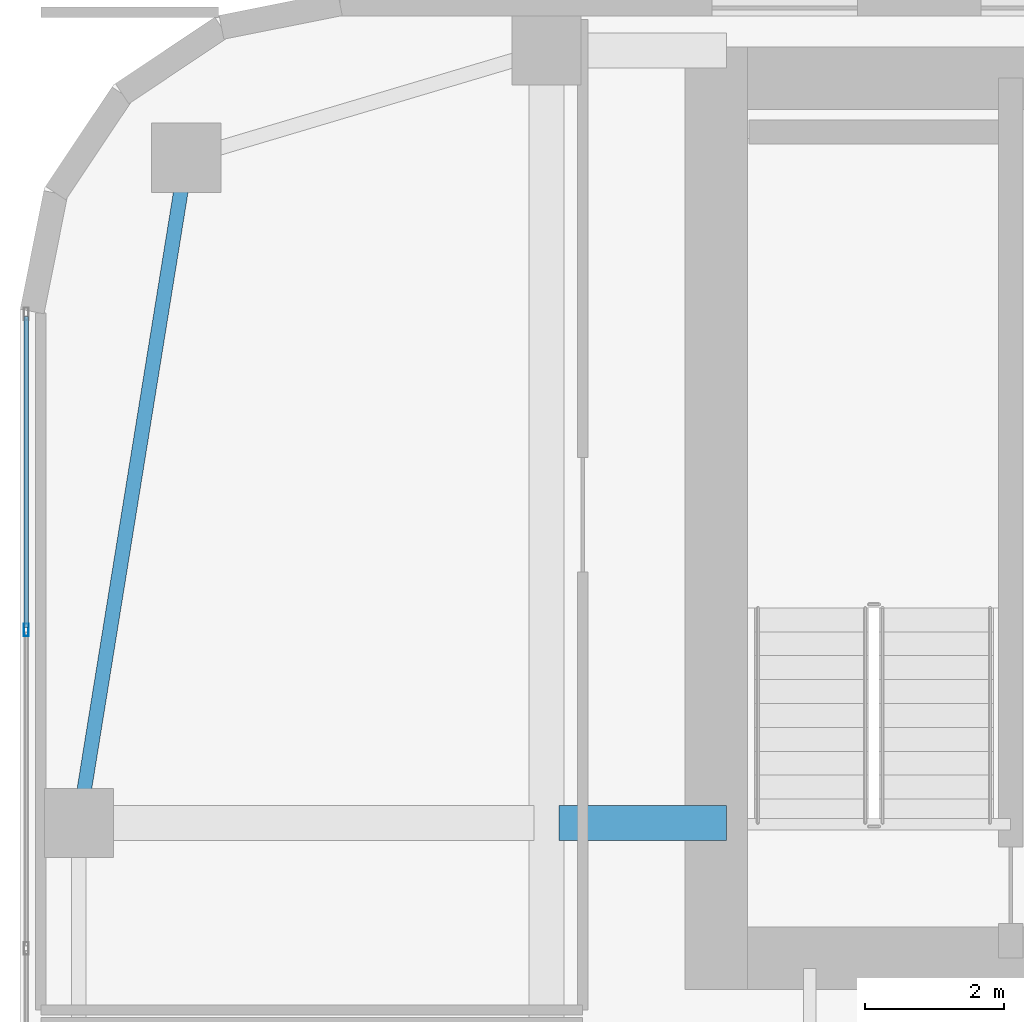
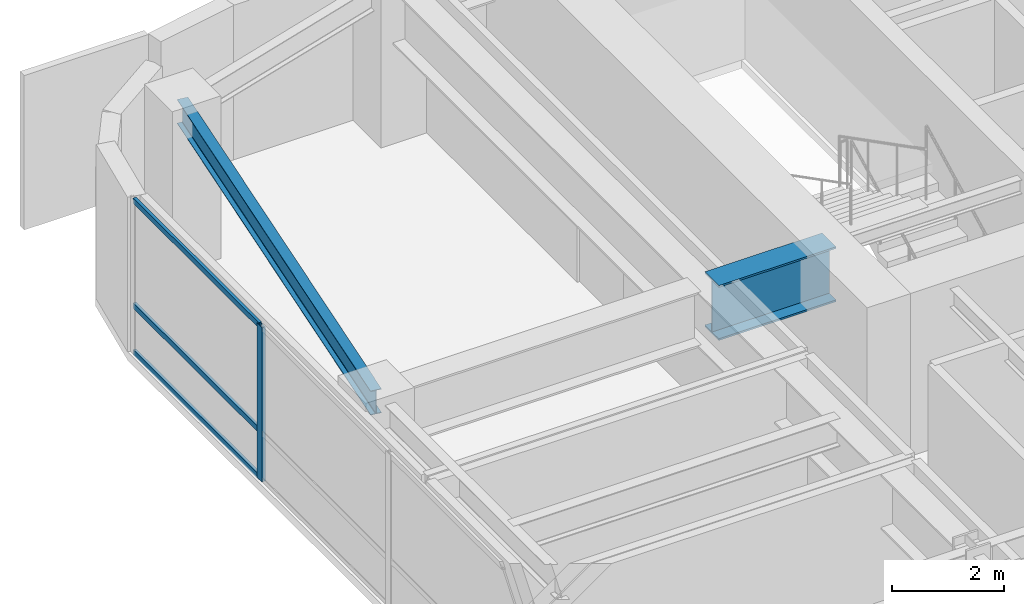
# One storey, part 22 of 37: 4 members, 2 beams, 1 element without a shape of its own.
"""IFC4 building model written with IfcOpenShell, lengths in metres."""

from ifc_helpers import new_model, si_unit, direction, frame, origin, origin_2d, place, context, subcontext, project, spatial, hollow_rectangle, i_section, extrude, source, transform, mapped, material, layer, layer_set, material_profile, profile_set, type_object, type_shapes, element, aggregate, save


model = new_model("IFC4")

# Units and contexts
model_context = context("Model", 3, precision=1e-05, world=origin(), true_north=direction((0.0, 1.0)))
body_context = subcontext(model_context, "Body", "Model", "MODEL_VIEW")
ifc_project = project(units=[si_unit("LENGTHUNIT", "METRE"), si_unit("AREAUNIT", "SQUARE_METRE"), si_unit("VOLUMEUNIT", "CUBIC_METRE"), si_unit("PLANEANGLEUNIT", "RADIAN"), si_unit("MASSUNIT", "GRAM", prefix="KILO")], contexts=[model_context])

# Site, building, storey
site_placement = place(None, origin())
site = spatial("IfcSite", under=ifc_project, at=site_placement, CompositionType="ELEMENT")
building_placement = place(site_placement, origin())
building = spatial("IfcBuilding", under=site, at=building_placement, Name="Tolvann Quenvar Hotel", CompositionType="ELEMENT")
storey_placement = place(building_placement, frame((0.0, 0.0, 53.300048828125)))
storey = spatial("IfcBuildingStorey", under=building, at=storey_placement, Name="L12", CompositionType="ELEMENT", Elevation=53.300048828125)

# Beams
ifc_material_1 = material(Name="Steel Grade 350", Category="steel")
ifc_material_profile_1 = material_profile(ifc_material_1, i_section(OverallWidth=0.208984375, OverallDepth=0.528076171875, WebThickness=0.009521484375, FlangeThickness=0.01318359375, FilletRadius=0.013916015625, at=origin_2d()), Name="530UB82")
ifc_profile_set_1 = profile_set([ifc_material_profile_1], Name="Steel Grade 350")
beam_type_1 = type_object("IfcBeamType", Name="BM_SPAND_530UB82", PredefinedType="SPANDREL", material=ifc_profile_set_1)
shared_shape_1 = source(origin(), body_context, "Body", "SweptSolid", [
    extrude(i_section(OverallWidth=0.208984375, OverallDepth=0.528076171875, WebThickness=0.009521484375, FlangeThickness=0.01318359375, FilletRadius=0.013916015625, at=origin_2d()), origin(), (0.0, 0.0, 1.0), 9.724365234375),
])
type_shapes(beam_type_1, [shared_shape_1])
beam_1_placement = place(storey_placement, frame((0.85009765625, 34.0, 3.10595703125), z_axis=(0.159372939192, 0.987218449105, 0.0), x_axis=(-0.987218449105, 0.159372939192, 0.0)))
element("IfcBeam", 1, at=beam_1_placement, inside=storey, type_object=beam_type_1, Name="BM-L12-FLK-W2", PredefinedType="SPANDREL", context=body_context, shape_type="MappedRepresentation", body=[
    mapped(shared_shape_1, transform((0.0, 0.0, 0.0), x_axis=(1.0, 0.0, 0.0), y_axis=(0.0, 1.0, 0.0), z_axis=(0.0, 0.0, 1.0), scale=1.0)),
])
ifc_material_profile_2 = material_profile(ifc_material_1, i_section(OverallWidth=0.5, OverallDepth=1.199951171875, WebThickness=0.01611328125, FlangeThickness=0.0400390625, at=origin_2d()), Name="1200WB455")
ifc_profile_set_2 = profile_set([ifc_material_profile_2], Name="Steel Grade 350")
beam_type_2 = type_object("IfcBeamType", Name="BM_TG_1200WB455", PredefinedType="USERDEFINED", material=ifc_profile_set_2)
shared_shape_2 = source(origin(), body_context, "Body", "SweptSolid", [
    extrude(i_section(OverallWidth=0.5, OverallDepth=1.199951171875, WebThickness=0.01611328125, FlangeThickness=0.0400390625, at=origin_2d()), origin(), (0.0, 0.0, 1.0), 2.419921875),
])
type_shapes(beam_type_2, [shared_shape_2])
beam_2_placement = place(storey_placement, frame((7.780029296875, 34.0, 2.77001953125), z_axis=(1.0, 0.0, 0.0), x_axis=(0.0, 1.0, 0.0)))
element("IfcBeam", 2, at=beam_2_placement, inside=storey, type_object=beam_type_2, Name="BM-L12-CTW-MID2", ObjectType="TRANSFER GIRDER", PredefinedType="USERDEFINED", context=body_context, shape_type="MappedRepresentation", body=[
    mapped(shared_shape_2, transform((0.0, 0.0, 0.0), x_axis=(1.0, 0.0, 0.0), y_axis=(0.0, 1.0, 0.0), z_axis=(0.0, 0.0, 1.0), scale=1.0)),
])

# Curtain wall, members
ifc_material_2 = material(Name="Thermally broken anodised architectural aluminium 6063-T6 and laminated low-E glass", Category="aluminium")
ifc_layer = layer(ifc_material_2, 0.179931640625)
ifc_layer_set = layer_set([ifc_layer], Name="Thermally broken anodised architectural aluminium 6063-T6 and laminated low-E glass")
curtain_wall_type = type_object("IfcCurtainWallType", Name="CW_SYS_BAND_04", PredefinedType="USERDEFINED", material=ifc_layer_set)
curtain_wall_placement = place(storey_placement, origin())
curtain_wall = element("IfcCurtainWall", 3, at=curtain_wall_placement, inside=storey, type_object=curtain_wall_type, Name="Curtain Wall CW-BAND-04 (CWR-L12-E23)", ObjectType="UNITISED CURTAIN WALL", PredefinedType="USERDEFINED")
ifc_material_3 = material(Name="Anodised architectural aluminium 6063-T6 framing", Category="aluminium")
ifc_material_profile_3 = material_profile(ifc_material_3, hollow_rectangle(XDim=0.070068359375, YDim=0.179931640625, WallThickness=0.00390625, at=origin_2d()), Name="180x70x4RHS")
ifc_profile_set_3 = profile_set([ifc_material_profile_3], Name="Anodised architectural aluminium 6063-T6 framing")
member_type_1 = type_object("IfcMemberType", Name="CW_MULL_180x70", PredefinedType="MULLION", material=ifc_profile_set_3)
shared_shape_3 = source(origin(), body_context, "Body", "SweptSolid", [
    extrude(hollow_rectangle(XDim=0.070068359375, YDim=0.179931640625, WallThickness=0.00390625, at=origin_2d()), origin(), (0.0, 0.0, 1.0), 3.369873046875),
])
type_shapes(member_type_1, [shared_shape_3])
member_1_placement = place(storey_placement, frame((0.090087890625, 36.787109375, 0.0), z_axis=(0.0, 0.0, 1.0), x_axis=(1.0, 0.0, 0.0)))
member_1 = element("IfcMember", 4, at=member_1_placement, type_object=member_type_1, Name="CW-BAND-04 mullion 2", PredefinedType="MULLION", context=body_context, shape_type="MappedRepresentation", body=[
    mapped(shared_shape_3, transform((0.0, 0.0, 0.0), x_axis=(1.0, 0.0, 0.0), y_axis=(0.0, 1.0, 0.0), z_axis=(0.0, 0.0, 1.0), scale=1.0)),
])
ifc_material_profile_4 = material_profile(ifc_material_3, hollow_rectangle(XDim=0.06005859375, YDim=0.1201171875, WallThickness=0.00341796875, at=origin_2d()), Name="120x60x3.5RHS")
ifc_profile_set_4 = profile_set([ifc_material_profile_4], Name="Anodised architectural aluminium 6063-T6 framing")
member_type_2 = type_object("IfcMemberType", Name="CW_TRAN_120x60", PredefinedType="USERDEFINED", material=ifc_profile_set_4)
shared_shape_4 = source(origin(), body_context, "Body", "SweptSolid", [
    extrude(hollow_rectangle(XDim=0.06005859375, YDim=0.1201171875, WallThickness=0.00341796875, at=origin_2d()), origin(), (0.0, 0.0, 1.0), 4.49072265625),
])
type_shapes(member_type_2, [shared_shape_4])
member_2_placement = place(storey_placement, frame((0.090087890625, 41.312744140625, 0.030029296875), z_axis=(0.0, -1.0, 0.0), x_axis=(1.0, 0.0, 0.0)))
member_2 = element("IfcMember", 5, at=member_2_placement, type_object=member_type_2, Name="CW-BAND-04 transom 1.1", ObjectType="TRANSOM", PredefinedType="USERDEFINED", context=body_context, shape_type="MappedRepresentation", body=[
    mapped(shared_shape_4, transform((0.0, 0.0, 0.0), x_axis=(1.0, 0.0, 0.0), y_axis=(0.0, 1.0, 0.0), z_axis=(0.0, 0.0, 1.0), scale=1.0)),
])
member_3_placement = place(storey_placement, frame((0.090087890625, 41.312744140625, 1.050048828125), z_axis=(0.0, -1.0, 0.0), x_axis=(1.0, 0.0, 0.0)))
member_3 = element("IfcMember", 6, at=member_3_placement, type_object=member_type_2, Name="CW-BAND-04 transom 1.2", ObjectType="TRANSOM", PredefinedType="USERDEFINED", context=body_context, shape_type="MappedRepresentation", body=[
    mapped(shared_shape_4, transform((0.0, 0.0, 0.0), x_axis=(1.0, 0.0, 0.0), y_axis=(0.0, 1.0, 0.0), z_axis=(0.0, 0.0, 1.0), scale=1.0)),
])
member_4_placement = place(storey_placement, frame((0.090087890625, 41.312744140625, 3.33984375), z_axis=(0.0, -1.0, 0.0), x_axis=(1.0, 0.0, 0.0)))
member_4 = element("IfcMember", 7, at=member_4_placement, type_object=member_type_2, Name="CW-BAND-04 transom 1.3", ObjectType="TRANSOM", PredefinedType="USERDEFINED", context=body_context, shape_type="MappedRepresentation", body=[
    mapped(shared_shape_4, transform((0.0, 0.0, 0.0), x_axis=(1.0, 0.0, 0.0), y_axis=(0.0, 1.0, 0.0), z_axis=(0.0, 0.0, 1.0), scale=1.0)),
])
aggregate(curtain_wall, [member_1, member_2, member_3, member_4])

save(model, "model.ifc")
